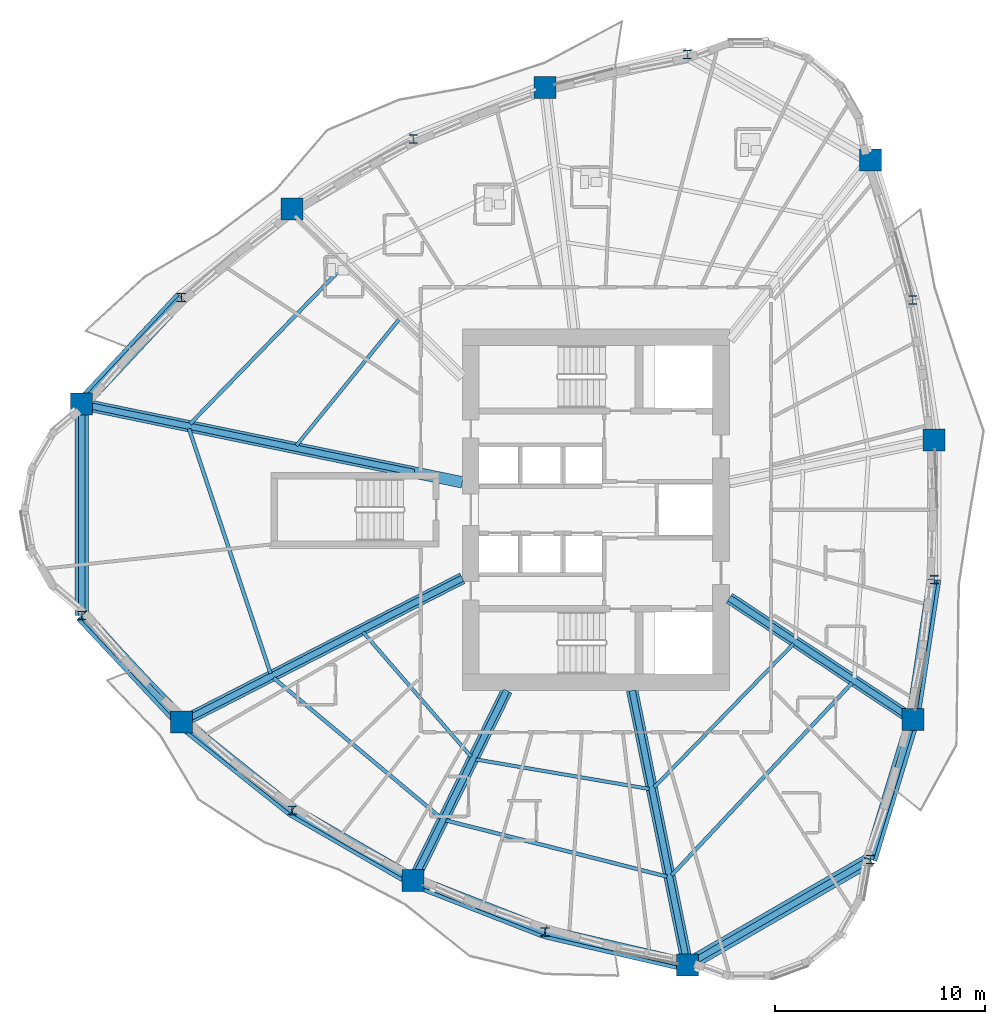
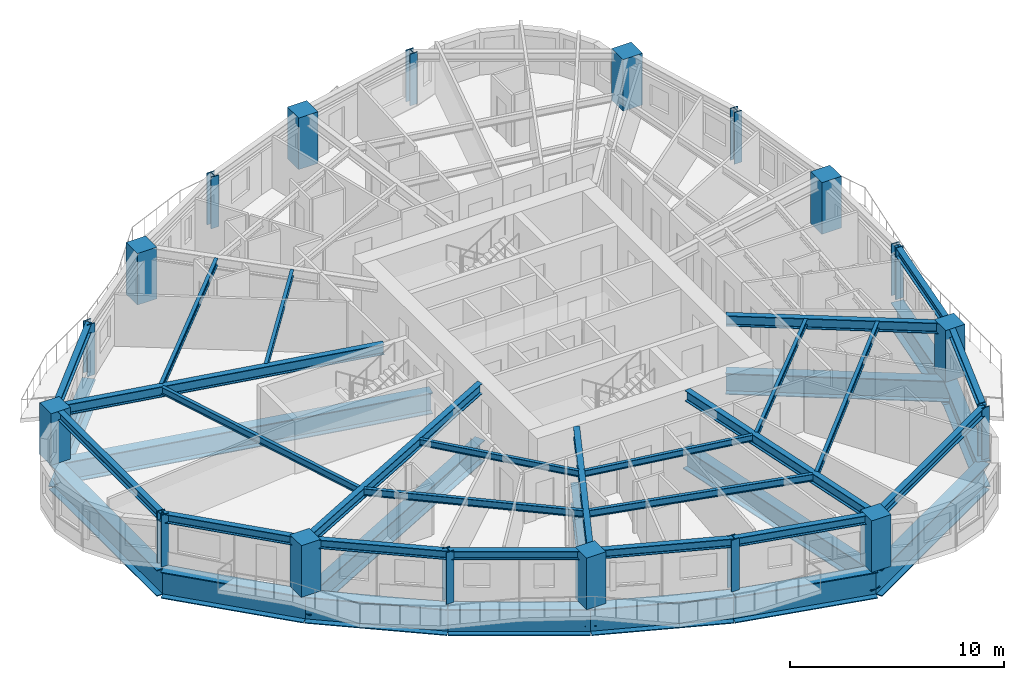
# One storey, part 1 of 14: 39 beams, 18 columns.
"""IFC4 building model written with IfcOpenShell, lengths in metres."""

from ifc_helpers import new_model, si_unit, direction, frame, origin, origin_2d, place, context, subcontext, project, spatial, rectangle, i_section, extrude, source, transform, mapped, material, material_profile, profile_set, type_object, element, save


model = new_model("IFC4")

# Units and contexts
model_context = context("Model", 3, precision=1e-05, world=origin(), true_north=direction((0.0, 1.0)))
body_context = subcontext(model_context, "Body", "Model", "MODEL_VIEW")
ifc_project = project(units=[si_unit("LENGTHUNIT", "METRE"), si_unit("AREAUNIT", "SQUARE_METRE"), si_unit("VOLUMEUNIT", "CUBIC_METRE"), si_unit("PLANEANGLEUNIT", "RADIAN"), si_unit("MASSUNIT", "GRAM", prefix="KILO")], contexts=[model_context])

# Site, building, storey
site_placement = place(None, origin())
site = spatial("IfcSite", under=ifc_project, at=site_placement, CompositionType="ELEMENT")
building_placement = place(site_placement, origin())
building = spatial("IfcBuilding", under=site, at=building_placement, Name="Qafzar Sky-Pleat Residences", CompositionType="ELEMENT")
storey_placement = place(building_placement, frame((0.0, 0.0, 7.800048828125)))
storey = spatial("IfcBuildingStorey", under=building, at=storey_placement, Name="L01", CompositionType="ELEMENT", Elevation=7.800048828125)

# Columns
ifc_material_1 = material(Name="Concrete C60/75", Category="concrete")
ifc_material_profile_1 = material_profile(ifc_material_1, rectangle(XDim=1.050048828125, YDim=1.050048828125, at=origin_2d()), Name="RC 1050x1050")
ifc_profile_set_1 = profile_set([ifc_material_profile_1], Name="Concrete C60/75")
column_type_1 = type_object("IfcColumnType", Name="COL-RC-1050", PredefinedType="COLUMN", material=ifc_profile_set_1)
shared_shape_1 = source(origin(), body_context, "Body", "SweptSolid", [
    extrude(rectangle(XDim=1.050048828125, YDim=1.050048828125, at=origin_2d()), origin(), (0.0, 0.0, 1.0), 2.93994140625),
])
for number, where, z_axis, x_axis, name in (
    (1, (5.89990234375, 31.02294921875, 0.0), (0.0, 0.0, 1.0), (1.0, 0.0, 0.0), "L01 Perimeter Mega Column 1"),
    (2, (10.64892578125, 15.900390625, 0.0), (0.0, 0.0, 1.0), (1.0, 0.0, 0.0), "L01 Perimeter Mega Column 3"),
    (3, (21.66357421875, 8.373779296875, 0.0), (0.0, 0.0, 1.0), (1.0, 0.0, 0.0), "L01 Perimeter Mega Column 5"),
    (4, (34.699951171875, 4.349365234375, 0.0), (0.0, 0.0, 1.0), (1.0, 0.0, 0.0), "L01 Perimeter Mega Column 7"),
    (5, (45.421875, 16.0234375, 0.0), (0.0, 0.0, 1.0), (1.0, 0.0, 0.0), "L01 Perimeter Mega Column 9"),
    (6, (46.432861328125, 29.325439453125, 0.0), (0.0, 0.0, 1.0), (1.0, 0.0, 0.0), "L01 Perimeter Mega Column 11"),
    (7, (43.39990234375, 42.627685546875, 0.0), (0.0, 0.0, 1.0), (1.0, 0.0, 0.0), "L01 Perimeter Mega Column 13"),
    (8, (27.928955078125, 46.076171875, 0.0), (0.0, 0.0, 1.0), (1.0, 0.0, 0.0), "L01 Perimeter Mega Column 15"),
    (9, (15.903564453125, 40.300537109375, 0.0), (0.0, 0.0, 1.0), (1.0, 0.0, 0.0), "L01 Perimeter Mega Column 17"),
):
    element("IfcColumn", number, at=place(storey_placement, frame(where, z_axis=z_axis, x_axis=x_axis)), inside=storey, type_object=column_type_1, Name=name, PredefinedType="COLUMN", context=body_context, shape_type="MappedRepresentation", body=[
        mapped(shared_shape_1, transform((0.0, 0.0, 0.0), x_axis=(1.0, 0.0, 0.0), y_axis=(0.0, 1.0, 0.0), z_axis=(0.0, 0.0, 1.0), scale=1.0)),
    ])
ifc_material_2 = material(Name="Steel S460", Category="steel")
ifc_material_profile_2 = material_profile(ifc_material_2, i_section(OverallWidth=0.408935546875, OverallDepth=0.425048828125, WebThickness=0.030029296875, FlangeThickness=0.048095703125, FilletRadius=0.014892578125, at=origin_2d()), Name="HD 400x421")
ifc_profile_set_2 = profile_set([ifc_material_profile_2], Name="Steel S460")
column_type_2 = type_object("IfcColumnType", Name="COL-STL-HD421", PredefinedType="PILASTER", material=ifc_profile_set_2)
shared_shape_2 = source(origin(), body_context, "Body", "SweptSolid", [
    extrude(i_section(OverallWidth=0.408935546875, OverallDepth=0.425048828125, WebThickness=0.030029296875, FlangeThickness=0.048095703125, FilletRadius=0.014892578125, at=origin_2d()), origin(), (0.0, 0.0, 1.0), 2.93994140625),
])
for number, where, z_axis, x_axis, name in (
    (10, (5.89990234375, 20.97705078125, 0.0), (0.0, 0.0, 1.0), (1.0, 0.0, 0.0), "L01 Perimeter Mega Column 2"),
    (11, (15.903564453125, 11.699462890625, 0.0), (0.0, 0.0, 1.0), (1.0, 0.0, 0.0), "L01 Perimeter Mega Column 4"),
    (12, (27.928955078125, 5.923828125, 0.0), (0.0, 0.0, 1.0), (1.0, 0.0, 0.0), "L01 Perimeter Mega Column 6"),
    (13, (43.39990234375, 9.372314453125, 0.0), (0.0, 0.0, 1.0), (1.0, 0.0, 0.0), "L01 Perimeter Mega Column 8"),
    (14, (46.432861328125, 22.674560546875, 0.0), (0.0, 0.0, 1.0), (1.0, 0.0, 0.0), "L01 Perimeter Mega Column 10"),
    (15, (45.421875, 35.9765625, 0.0), (0.0, 0.0, 1.0), (1.0, 0.0, 0.0), "L01 Perimeter Mega Column 12"),
    (16, (34.699951171875, 47.650634765625, 0.0), (0.0, 0.0, 1.0), (1.0, 0.0, 0.0), "L01 Perimeter Mega Column 14"),
    (17, (21.66357421875, 43.626220703125, 0.0), (0.0, 0.0, 1.0), (1.0, 0.0, 0.0), "L01 Perimeter Mega Column 16"),
    (18, (10.64892578125, 36.099609375, 0.0), (0.0, 0.0, 1.0), (1.0, 0.0, 0.0), "L01 Perimeter Mega Column 18"),
):
    element("IfcColumn", number, at=place(storey_placement, frame(where, z_axis=z_axis, x_axis=x_axis)), inside=storey, type_object=column_type_2, Name=name, PredefinedType="PILASTER", context=body_context, shape_type="MappedRepresentation", body=[
        mapped(shared_shape_2, transform((0.0, 0.0, 0.0), x_axis=(1.0, 0.0, 0.0), y_axis=(0.0, 1.0, 0.0), z_axis=(0.0, 0.0, 1.0), scale=1.0)),
    ])

# Beams
ifc_material_profile_3 = material_profile(ifc_material_2, i_section(OverallWidth=0.64990234375, OverallDepth=1.5, WebThickness=0.031982421875, FlangeThickness=0.050048828125, at=origin_2d()), Name="PG 1500x650x50")
ifc_profile_set_3 = profile_set([ifc_material_profile_3], Name="Steel S460")
beam_type_1 = type_object("IfcBeamType", Name="BM-XFER-PG1500", PredefinedType="BEAM", material=ifc_profile_set_3)
shared_shape_3 = source(origin(), body_context, "Body", "SweptSolid", [
    extrude(i_section(OverallWidth=0.64990234375, OverallDepth=1.5, WebThickness=0.031982421875, FlangeThickness=0.050048828125, at=origin_2d()), origin(), (0.0, 0.0, 1.0), 10.0458984375),
])
for number, where, z_axis, x_axis, name in (
    (19, (5.89990234375, 31.02294921875, -1.010009765625), (0.0, -1.0, 0.0), (1.0, 0.0, 0.0), "L01 Perimeter Transfer Ring Girder 1"),
    (20, (34.699951171875, 4.349365234375, -1.010009765625), (0.866024107753, 0.500002244785, 0.0), (-0.500002244785, 0.866024107753, 0.0), "L01 Perimeter Transfer Ring Girder 7"),
):
    element("IfcBeam", number, at=place(storey_placement, frame(where, z_axis=z_axis, x_axis=x_axis)), inside=storey, type_object=beam_type_1, Name=name, PredefinedType="BEAM", context=body_context, shape_type="MappedRepresentation", body=[
        mapped(shared_shape_3, transform((0.0, 0.0, 0.0), x_axis=(1.0, 0.0, 0.0), y_axis=(0.0, 1.0, 0.0), z_axis=(0.0, 0.0, 1.0), scale=1.0)),
    ])
shared_shape_4 = source(origin(), body_context, "Body", "SweptSolid", [
    extrude(i_section(OverallWidth=0.64990234375, OverallDepth=1.5, WebThickness=0.031982421875, FlangeThickness=0.050048828125, at=origin_2d()), origin(), (0.0, 0.0, 1.0), 6.95166015625),
])
for number, where, z_axis, x_axis, name in (
    (21, (5.89990234375, 20.97705078125, -1.010009765625), (0.683148670375, -0.730279326125, 0.0), (0.730279326125, 0.683148670375, 0.0), "L01 Perimeter Transfer Ring Girder 2"),
    (22, (27.928955078125, 5.923828125, -1.010009765625), (0.974013973113, -0.226487925024, 0.0), (0.226487925024, 0.974013973113, 0.0), "L01 Perimeter Transfer Ring Girder 6"),
    (23, (43.39990234375, 9.372314453125, -1.010009765625), (0.290861139852, 0.956765278072, 0.0), (-0.956765278072, 0.290861139852, 0.0), "L01 Perimeter Transfer Ring Girder 8"),
    (24, (10.64892578125, 36.099609375, -1.010009765625), (-0.683148670375, -0.730279326125, 0.0), (0.730279326125, -0.683148670375, 0.0), "L01 Perimeter Transfer Ring Girder 18"),
):
    element("IfcBeam", number, at=place(storey_placement, frame(where, z_axis=z_axis, x_axis=x_axis)), inside=storey, type_object=beam_type_1, Name=name, PredefinedType="BEAM", context=body_context, shape_type="MappedRepresentation", body=[
        mapped(shared_shape_4, transform((0.0, 0.0, 0.0), x_axis=(1.0, 0.0, 0.0), y_axis=(0.0, 1.0, 0.0), z_axis=(0.0, 0.0, 1.0), scale=1.0)),
    ])
shared_shape_5 = source(origin(), body_context, "Body", "SweptSolid", [
    extrude(i_section(OverallWidth=0.64990234375, OverallDepth=1.5, WebThickness=0.031982421875, FlangeThickness=0.050048828125, at=origin_2d()), origin(), (0.0, 0.0, 1.0), 6.7275390625),
])
for number, where, z_axis, x_axis, name in (
    (25, (10.64892578125, 15.900390625, -1.010009765625), (0.781070576736, -0.624442754908, 0.0), (0.624442754908, 0.781070576736, 0.0), "L01 Perimeter Transfer Ring Girder 3"),
    (26, (45.421875, 16.0234375, -1.010009765625), (0.150276218199, 0.988644050325, 0.0), (-0.988644050325, 0.150276218199, 0.0), "L01 Perimeter Transfer Ring Girder 9"),
):
    element("IfcBeam", number, at=place(storey_placement, frame(where, z_axis=z_axis, x_axis=x_axis)), inside=storey, type_object=beam_type_1, Name=name, PredefinedType="BEAM", context=body_context, shape_type="MappedRepresentation", body=[
        mapped(shared_shape_5, transform((0.0, 0.0, 0.0), x_axis=(1.0, 0.0, 0.0), y_axis=(0.0, 1.0, 0.0), z_axis=(0.0, 0.0, 1.0), scale=1.0)),
    ])
shared_shape_6 = source(origin(), body_context, "Body", "SweptSolid", [
    extrude(i_section(OverallWidth=0.64990234375, OverallDepth=1.5, WebThickness=0.031982421875, FlangeThickness=0.050048828125, at=origin_2d()), origin(), (0.0, 0.0, 1.0), 6.651123046875),
])
beam_1_placement = place(storey_placement, frame((15.903564453125, 11.699462890625, -1.010009765625), z_axis=(0.866016262799, -0.500015832317, 0.0), x_axis=(0.500015832317, 0.866016262799, 0.0)))
element("IfcBeam", 27, at=beam_1_placement, inside=storey, type_object=beam_type_1, Name="L01 Perimeter Transfer Ring Girder 4", PredefinedType="BEAM", context=body_context, shape_type="MappedRepresentation", body=[
    mapped(shared_shape_6, transform((0.0, 0.0, 0.0), x_axis=(1.0, 0.0, 0.0), y_axis=(0.0, 1.0, 0.0), z_axis=(0.0, 0.0, 1.0), scale=1.0)),
])
shared_shape_7 = source(origin(), body_context, "Body", "SweptSolid", [
    extrude(i_section(OverallWidth=0.64990234375, OverallDepth=1.5, WebThickness=0.031982421875, FlangeThickness=0.050048828125, at=origin_2d()), origin(), (0.0, 0.0, 1.0), 6.727294921875),
])
beam_2_placement = place(storey_placement, frame((21.66357421875, 8.373779296875, -1.010009765625), z_axis=(0.931329494162, -0.364177667222, 0.0), x_axis=(0.364177667222, 0.931329494162, 0.0)))
element("IfcBeam", 28, at=beam_2_placement, inside=storey, type_object=beam_type_1, Name="L01 Perimeter Transfer Ring Girder 5", PredefinedType="BEAM", context=body_context, shape_type="MappedRepresentation", body=[
    mapped(shared_shape_7, transform((0.0, 0.0, 0.0), x_axis=(1.0, 0.0, 0.0), y_axis=(0.0, 1.0, 0.0), z_axis=(0.0, 0.0, 1.0), scale=1.0)),
])
ifc_material_profile_4 = material_profile(ifc_material_2, i_section(OverallWidth=0.550048828125, OverallDepth=1.199951171875, WebThickness=0.028076171875, FlangeThickness=0.044921875, at=origin_2d()), Name="PG 1200x550x45")
ifc_profile_set_4 = profile_set([ifc_material_profile_4], Name="Steel S460")
beam_type_2 = type_object("IfcBeamType", Name="BM-XFER-PG1200", PredefinedType="BEAM", material=ifc_profile_set_4)
shared_shape_8 = source(origin(), body_context, "Body", "SweptSolid", [
    extrude(i_section(OverallWidth=0.550048828125, OverallDepth=1.199951171875, WebThickness=0.028076171875, FlangeThickness=0.044921875, at=origin_2d()), origin(), (0.0, 0.0, 1.0), 18.47802734375),
])
beam_3_placement = place(storey_placement, frame((5.89990234375, 31.02294921875, -0.860107421875), z_axis=(0.979542304464, -0.201238350634, 0.0), x_axis=(0.201238350634, 0.979542304464, 0.0)))
element("IfcBeam", 29, at=beam_3_placement, inside=storey, type_object=beam_type_2, Name="L01 Radial Transfer Girder 1", PredefinedType="BEAM", context=body_context, shape_type="MappedRepresentation", body=[
    mapped(shared_shape_8, transform((0.0, 0.0, 0.0), x_axis=(1.0, 0.0, 0.0), y_axis=(0.0, 1.0, 0.0), z_axis=(0.0, 0.0, 1.0), scale=1.0)),
])
shared_shape_9 = source(origin(), body_context, "Body", "SweptSolid", [
    extrude(i_section(OverallWidth=0.550048828125, OverallDepth=1.199951171875, WebThickness=0.028076171875, FlangeThickness=0.044921875, at=origin_2d()), origin(), (0.0, 0.0, 1.0), 15.003173828125),
])
beam_4_placement = place(storey_placement, frame((10.64892578125, 15.900390625, -0.860107421875), z_axis=(0.889884204049, 0.456186478739, 0.0), x_axis=(-0.456186478739, 0.889884204049, 0.0)))
element("IfcBeam", 30, at=beam_4_placement, inside=storey, type_object=beam_type_2, Name="L01 Radial Transfer Girder 2", PredefinedType="BEAM", context=body_context, shape_type="MappedRepresentation", body=[
    mapped(shared_shape_9, transform((0.0, 0.0, 0.0), x_axis=(1.0, 0.0, 0.0), y_axis=(0.0, 1.0, 0.0), z_axis=(0.0, 0.0, 1.0), scale=1.0)),
])
shared_shape_10 = source(origin(), body_context, "Body", "SweptSolid", [
    extrude(i_section(OverallWidth=0.550048828125, OverallDepth=1.199951171875, WebThickness=0.028076171875, FlangeThickness=0.044921875, at=origin_2d()), origin(), (0.0, 0.0, 1.0), 10.062744140625),
])
beam_5_placement = place(storey_placement, frame((21.66357421875, 8.373779296875, -0.860107421875), z_axis=(0.442052932292, 0.896988965959, 0.0), x_axis=(-0.896988965959, 0.442052932292, 0.0)))
element("IfcBeam", 31, at=beam_5_placement, inside=storey, type_object=beam_type_2, Name="L01 Radial Transfer Girder 3", PredefinedType="BEAM", context=body_context, shape_type="MappedRepresentation", body=[
    mapped(shared_shape_10, transform((0.0, 0.0, 0.0), x_axis=(1.0, 0.0, 0.0), y_axis=(0.0, 1.0, 0.0), z_axis=(0.0, 0.0, 1.0), scale=1.0)),
])
shared_shape_11 = source(origin(), body_context, "Body", "SweptSolid", [
    extrude(i_section(OverallWidth=0.550048828125, OverallDepth=1.199951171875, WebThickness=0.028076171875, FlangeThickness=0.044921875, at=origin_2d()), origin(), (0.0, 0.0, 1.0), 13.311279296875),
])
beam_6_placement = place(storey_placement, frame((34.699951171875, 4.349365234375, -0.860107421875), z_axis=(-0.196980192836, 0.980407468163, 0.0), x_axis=(-0.980407468163, -0.196980192836, 0.0)))
element("IfcBeam", 32, at=beam_6_placement, inside=storey, type_object=beam_type_2, Name="L01 Radial Transfer Girder 4", PredefinedType="BEAM", context=body_context, shape_type="MappedRepresentation", body=[
    mapped(shared_shape_11, transform((0.0, 0.0, 0.0), x_axis=(1.0, 0.0, 0.0), y_axis=(0.0, 1.0, 0.0), z_axis=(0.0, 0.0, 1.0), scale=1.0)),
])
shared_shape_12 = source(origin(), body_context, "Body", "SweptSolid", [
    extrude(i_section(OverallWidth=0.550048828125, OverallDepth=1.199951171875, WebThickness=0.028076171875, FlangeThickness=0.044921875, at=origin_2d()), origin(), (0.0, 0.0, 1.0), 10.45947265625),
])
beam_7_placement = place(storey_placement, frame((45.421875, 16.0234375, -0.860107421875), z_axis=(-0.833873592866, 0.551955461175, 0.0), x_axis=(-0.551955461175, -0.833873592866, 0.0)))
element("IfcBeam", 33, at=beam_7_placement, inside=storey, type_object=beam_type_2, Name="L01 Radial Transfer Girder 5", PredefinedType="BEAM", context=body_context, shape_type="MappedRepresentation", body=[
    mapped(shared_shape_12, transform((0.0, 0.0, 0.0), x_axis=(1.0, 0.0, 0.0), y_axis=(0.0, 1.0, 0.0), z_axis=(0.0, 0.0, 1.0), scale=1.0)),
])
ifc_material_3 = material(Name="Steel S355", Category="steel")
ifc_material_profile_5 = material_profile(ifc_material_3, i_section(OverallWidth=0.300048828125, OverallDepth=0.5, WebThickness=0.014404296875, FlangeThickness=0.028076171875, FilletRadius=0.027099609375, at=origin_2d()), Name="HEB 500")
ifc_profile_set_5 = profile_set([ifc_material_profile_5], Name="Steel S355")
beam_type_3 = type_object("IfcBeamType", Name="BM-SPAN-HEB500", PredefinedType="SPANDREL", material=ifc_profile_set_5)
shared_shape_13 = source(origin(), body_context, "Body", "SweptSolid", [
    extrude(i_section(OverallWidth=0.300048828125, OverallDepth=0.5, WebThickness=0.014404296875, FlangeThickness=0.028076171875, FilletRadius=0.027099609375, at=origin_2d()), origin(), (0.0, 0.0, 1.0), 10.0458984375),
])
for number, where, z_axis, x_axis, name in (
    (34, (5.89990234375, 31.02294921875, 2.68798828125), (0.0, -1.0, 0.0), (1.0, 0.0, 0.0), "L01 Perimeter Spandrel Beam 1"),
    (35, (34.699951171875, 4.349365234375, 2.68798828125), (0.866024107753, 0.500002244785, 0.0), (-0.500002244785, 0.866024107753, 0.0), "L01 Perimeter Spandrel Beam 7"),
):
    element("IfcBeam", number, at=place(storey_placement, frame(where, z_axis=z_axis, x_axis=x_axis)), inside=storey, type_object=beam_type_3, Name=name, PredefinedType="SPANDREL", context=body_context, shape_type="MappedRepresentation", body=[
        mapped(shared_shape_13, transform((0.0, 0.0, 0.0), x_axis=(1.0, 0.0, 0.0), y_axis=(0.0, 1.0, 0.0), z_axis=(0.0, 0.0, 1.0), scale=1.0)),
    ])
shared_shape_14 = source(origin(), body_context, "Body", "SweptSolid", [
    extrude(i_section(OverallWidth=0.300048828125, OverallDepth=0.5, WebThickness=0.014404296875, FlangeThickness=0.028076171875, FilletRadius=0.027099609375, at=origin_2d()), origin(), (0.0, 0.0, 1.0), 6.95166015625),
])
for number, where, z_axis, x_axis, name in (
    (36, (5.89990234375, 20.97705078125, 2.68798828125), (0.683148670375, -0.730279326125, 0.0), (0.730279326125, 0.683148670375, 0.0), "L01 Perimeter Spandrel Beam 2"),
    (37, (27.928955078125, 5.923828125, 2.68798828125), (0.974013973113, -0.226487925024, 0.0), (0.226487925024, 0.974013973113, 0.0), "L01 Perimeter Spandrel Beam 6"),
    (38, (43.39990234375, 9.372314453125, 2.68798828125), (0.290861139852, 0.956765278072, 0.0), (-0.956765278072, 0.290861139852, 0.0), "L01 Perimeter Spandrel Beam 8"),
    (39, (10.64892578125, 36.099609375, 2.68798828125), (-0.683148670375, -0.730279326125, 0.0), (0.730279326125, -0.683148670375, 0.0), "L01 Perimeter Spandrel Beam 18"),
):
    element("IfcBeam", number, at=place(storey_placement, frame(where, z_axis=z_axis, x_axis=x_axis)), inside=storey, type_object=beam_type_3, Name=name, PredefinedType="SPANDREL", context=body_context, shape_type="MappedRepresentation", body=[
        mapped(shared_shape_14, transform((0.0, 0.0, 0.0), x_axis=(1.0, 0.0, 0.0), y_axis=(0.0, 1.0, 0.0), z_axis=(0.0, 0.0, 1.0), scale=1.0)),
    ])
shared_shape_15 = source(origin(), body_context, "Body", "SweptSolid", [
    extrude(i_section(OverallWidth=0.300048828125, OverallDepth=0.5, WebThickness=0.014404296875, FlangeThickness=0.028076171875, FilletRadius=0.027099609375, at=origin_2d()), origin(), (0.0, 0.0, 1.0), 6.7275390625),
])
for number, where, z_axis, x_axis, name in (
    (40, (10.64892578125, 15.900390625, 2.68798828125), (0.781070576736, -0.624442754908, 0.0), (0.624442754908, 0.781070576736, 0.0), "L01 Perimeter Spandrel Beam 3"),
    (41, (45.421875, 16.0234375, 2.68798828125), (0.150276218199, 0.988644050325, 0.0), (-0.988644050325, 0.150276218199, 0.0), "L01 Perimeter Spandrel Beam 9"),
):
    element("IfcBeam", number, at=place(storey_placement, frame(where, z_axis=z_axis, x_axis=x_axis)), inside=storey, type_object=beam_type_3, Name=name, PredefinedType="SPANDREL", context=body_context, shape_type="MappedRepresentation", body=[
        mapped(shared_shape_15, transform((0.0, 0.0, 0.0), x_axis=(1.0, 0.0, 0.0), y_axis=(0.0, 1.0, 0.0), z_axis=(0.0, 0.0, 1.0), scale=1.0)),
    ])
shared_shape_16 = source(origin(), body_context, "Body", "SweptSolid", [
    extrude(i_section(OverallWidth=0.300048828125, OverallDepth=0.5, WebThickness=0.014404296875, FlangeThickness=0.028076171875, FilletRadius=0.027099609375, at=origin_2d()), origin(), (0.0, 0.0, 1.0), 6.651123046875),
])
beam_8_placement = place(storey_placement, frame((15.903564453125, 11.699462890625, 2.68798828125), z_axis=(0.866016262799, -0.500015832317, 0.0), x_axis=(0.500015832317, 0.866016262799, 0.0)))
element("IfcBeam", 42, at=beam_8_placement, inside=storey, type_object=beam_type_3, Name="L01 Perimeter Spandrel Beam 4", PredefinedType="SPANDREL", context=body_context, shape_type="MappedRepresentation", body=[
    mapped(shared_shape_16, transform((0.0, 0.0, 0.0), x_axis=(1.0, 0.0, 0.0), y_axis=(0.0, 1.0, 0.0), z_axis=(0.0, 0.0, 1.0), scale=1.0)),
])
shared_shape_17 = source(origin(), body_context, "Body", "SweptSolid", [
    extrude(i_section(OverallWidth=0.300048828125, OverallDepth=0.5, WebThickness=0.014404296875, FlangeThickness=0.028076171875, FilletRadius=0.027099609375, at=origin_2d()), origin(), (0.0, 0.0, 1.0), 6.727294921875),
])
beam_9_placement = place(storey_placement, frame((21.66357421875, 8.373779296875, 2.68798828125), z_axis=(0.931329494162, -0.364177667222, 0.0), x_axis=(0.364177667222, 0.931329494162, 0.0)))
element("IfcBeam", 43, at=beam_9_placement, inside=storey, type_object=beam_type_3, Name="L01 Perimeter Spandrel Beam 5", PredefinedType="SPANDREL", context=body_context, shape_type="MappedRepresentation", body=[
    mapped(shared_shape_17, transform((0.0, 0.0, 0.0), x_axis=(1.0, 0.0, 0.0), y_axis=(0.0, 1.0, 0.0), z_axis=(0.0, 0.0, 1.0), scale=1.0)),
])
ifc_material_profile_6 = material_profile(ifc_material_3, i_section(OverallWidth=0.300048828125, OverallDepth=0.60009765625, WebThickness=0.015380859375, FlangeThickness=0.030029296875, FilletRadius=0.027099609375, at=origin_2d()), Name="HEB 600")
ifc_profile_set_6 = profile_set([ifc_material_profile_6], Name="Steel S355")
beam_type_4 = type_object("IfcBeamType", Name="BM-GIRD-HEB600", PredefinedType="BEAM", material=ifc_profile_set_6)
shared_shape_18 = source(origin(), body_context, "Body", "SweptSolid", [
    extrude(i_section(OverallWidth=0.300048828125, OverallDepth=0.60009765625, WebThickness=0.015380859375, FlangeThickness=0.030029296875, FilletRadius=0.027099609375, at=origin_2d()), origin(), (0.0, 0.0, 1.0), 16.139892578125),
])
beam_10_placement = place(storey_placement, frame((5.89990234375, 31.02294921875, 2.637939453125), z_axis=(0.9795415771, -0.201241891097, 0.0), x_axis=(0.201241891097, 0.9795415771, 0.0)))
element("IfcBeam", 44, at=beam_10_placement, inside=storey, type_object=beam_type_4, Name="L01 Radial Floor Girder 1", PredefinedType="BEAM", context=body_context, shape_type="MappedRepresentation", body=[
    mapped(shared_shape_18, transform((0.0, 0.0, 0.0), x_axis=(1.0, 0.0, 0.0), y_axis=(0.0, 1.0, 0.0), z_axis=(0.0, 0.0, 1.0), scale=1.0)),
])
shared_shape_19 = source(origin(), body_context, "Body", "SweptSolid", [
    extrude(i_section(OverallWidth=0.300048828125, OverallDepth=0.60009765625, WebThickness=0.015380859375, FlangeThickness=0.030029296875, FilletRadius=0.027099609375, at=origin_2d()), origin(), (0.0, 0.0, 1.0), 15.003173828125),
])
beam_11_placement = place(storey_placement, frame((10.64892578125, 15.900390625, 2.637939453125), z_axis=(0.889884204049, 0.456186478739, 0.0), x_axis=(-0.456186478739, 0.889884204049, 0.0)))
element("IfcBeam", 45, at=beam_11_placement, inside=storey, type_object=beam_type_4, Name="L01 Radial Floor Girder 3", PredefinedType="BEAM", context=body_context, shape_type="MappedRepresentation", body=[
    mapped(shared_shape_19, transform((0.0, 0.0, 0.0), x_axis=(1.0, 0.0, 0.0), y_axis=(0.0, 1.0, 0.0), z_axis=(0.0, 0.0, 1.0), scale=1.0)),
])
shared_shape_20 = source(origin(), body_context, "Body", "SweptSolid", [
    extrude(i_section(OverallWidth=0.300048828125, OverallDepth=0.60009765625, WebThickness=0.015380859375, FlangeThickness=0.030029296875, FilletRadius=0.027099609375, at=origin_2d()), origin(), (0.0, 0.0, 1.0), 10.062744140625),
])
beam_12_placement = place(storey_placement, frame((21.66357421875, 8.373779296875, 2.637939453125), z_axis=(0.442052932292, 0.896988965959, 0.0), x_axis=(-0.896988965959, 0.442052932292, 0.0)))
element("IfcBeam", 46, at=beam_12_placement, inside=storey, type_object=beam_type_4, Name="L01 Radial Floor Girder 5", PredefinedType="BEAM", context=body_context, shape_type="MappedRepresentation", body=[
    mapped(shared_shape_20, transform((0.0, 0.0, 0.0), x_axis=(1.0, 0.0, 0.0), y_axis=(0.0, 1.0, 0.0), z_axis=(0.0, 0.0, 1.0), scale=1.0)),
])
shared_shape_21 = source(origin(), body_context, "Body", "SweptSolid", [
    extrude(i_section(OverallWidth=0.300048828125, OverallDepth=0.60009765625, WebThickness=0.015380859375, FlangeThickness=0.030029296875, FilletRadius=0.027099609375, at=origin_2d()), origin(), (0.0, 0.0, 1.0), 13.311279296875),
])
beam_13_placement = place(storey_placement, frame((34.699951171875, 4.349365234375, 2.637939453125), z_axis=(-0.196980192836, 0.980407468163, 0.0), x_axis=(-0.980407468163, -0.196980192836, 0.0)))
element("IfcBeam", 47, at=beam_13_placement, inside=storey, type_object=beam_type_4, Name="L01 Radial Floor Girder 7", PredefinedType="BEAM", context=body_context, shape_type="MappedRepresentation", body=[
    mapped(shared_shape_21, transform((0.0, 0.0, 0.0), x_axis=(1.0, 0.0, 0.0), y_axis=(0.0, 1.0, 0.0), z_axis=(0.0, 0.0, 1.0), scale=1.0)),
])
shared_shape_22 = source(origin(), body_context, "Body", "SweptSolid", [
    extrude(i_section(OverallWidth=0.300048828125, OverallDepth=0.60009765625, WebThickness=0.015380859375, FlangeThickness=0.030029296875, FilletRadius=0.027099609375, at=origin_2d()), origin(), (0.0, 0.0, 1.0), 10.45947265625),
])
beam_14_placement = place(storey_placement, frame((45.421875, 16.0234375, 2.637939453125), z_axis=(-0.833873592866, 0.551955461175, 0.0), x_axis=(-0.551955461175, -0.833873592866, 0.0)))
element("IfcBeam", 48, at=beam_14_placement, inside=storey, type_object=beam_type_4, Name="L01 Radial Floor Girder 9", PredefinedType="BEAM", context=body_context, shape_type="MappedRepresentation", body=[
    mapped(shared_shape_22, transform((0.0, 0.0, 0.0), x_axis=(1.0, 0.0, 0.0), y_axis=(0.0, 1.0, 0.0), z_axis=(0.0, 0.0, 1.0), scale=1.0)),
])
ifc_material_profile_7 = material_profile(ifc_material_3, i_section(OverallWidth=0.179931640625, OverallDepth=0.39990234375, WebThickness=0.008544921875, FlangeThickness=0.013427734375, FilletRadius=0.02099609375, at=origin_2d()), Name="IPE 400")
ifc_profile_set_7 = profile_set([ifc_material_profile_7], Name="Steel S355")
beam_type_5 = type_object("IfcBeamType", Name="BM-JST-IPE400", PredefinedType="JOIST", material=ifc_profile_set_7)
shared_shape_23 = source(origin(), body_context, "Body", "SweptSolid", [
    extrude(i_section(OverallWidth=0.179931640625, OverallDepth=0.39990234375, WebThickness=0.008544921875, FlangeThickness=0.013427734375, FilletRadius=0.02099609375, at=origin_2d()), origin(), (0.0, 0.0, 1.0), 12.265625),
])
beam_15_placement = place(storey_placement, frame((11.001708984375, 29.85546875, 2.738037109375), z_axis=(0.31608444956, -0.948731058175, 0.0), x_axis=(0.948731058175, 0.31608444956, 0.0)))
element("IfcBeam", 49, at=beam_15_placement, inside=storey, type_object=beam_type_5, Name="L01 Outer Secondary Floor Joist 1", PredefinedType="JOIST", context=body_context, shape_type="MappedRepresentation", body=[
    mapped(shared_shape_23, transform((0.0, 0.0, 0.0), x_axis=(1.0, 0.0, 0.0), y_axis=(0.0, 1.0, 0.0), z_axis=(0.0, 0.0, 1.0), scale=1.0)),
])
shared_shape_24 = source(origin(), body_context, "Body", "SweptSolid", [
    extrude(i_section(OverallWidth=0.179931640625, OverallDepth=0.39990234375, WebThickness=0.008544921875, FlangeThickness=0.013427734375, FilletRadius=0.02099609375, at=origin_2d()), origin(), (0.0, 0.0, 1.0), 10.374267578125),
])
beam_16_placement = place(storey_placement, frame((15.02490234375, 18.00390625, 2.738037109375), z_axis=(0.767132246314, -0.641488984056, 0.0), x_axis=(0.641488984056, 0.767132246314, 0.0)))
element("IfcBeam", 50, at=beam_16_placement, inside=storey, type_object=beam_type_5, Name="L01 Outer Secondary Floor Joist 2", PredefinedType="JOIST", context=body_context, shape_type="MappedRepresentation", body=[
    mapped(shared_shape_24, transform((0.0, 0.0, 0.0), x_axis=(1.0, 0.0, 0.0), y_axis=(0.0, 1.0, 0.0), z_axis=(0.0, 0.0, 1.0), scale=1.0)),
])
shared_shape_25 = source(origin(), body_context, "Body", "SweptSolid", [
    extrude(i_section(OverallWidth=0.179931640625, OverallDepth=0.39990234375, WebThickness=0.008544921875, FlangeThickness=0.013427734375, FilletRadius=0.02099609375, at=origin_2d()), origin(), (0.0, 0.0, 1.0), 10.845703125),
])
beam_17_placement = place(storey_placement, frame((23.218017578125, 11.22900390625, 2.738037109375), z_axis=(0.969220624177, -0.246193788853, 0.0), x_axis=(0.246193788853, 0.969220624177, 0.0)))
element("IfcBeam", 51, at=beam_17_placement, inside=storey, type_object=beam_type_5, Name="L01 Outer Secondary Floor Joist 3", PredefinedType="JOIST", context=body_context, shape_type="MappedRepresentation", body=[
    mapped(shared_shape_25, transform((0.0, 0.0, 0.0), x_axis=(1.0, 0.0, 0.0), y_axis=(0.0, 1.0, 0.0), z_axis=(0.0, 0.0, 1.0), scale=1.0)),
])
shared_shape_26 = source(origin(), body_context, "Body", "SweptSolid", [
    extrude(i_section(OverallWidth=0.179931640625, OverallDepth=0.39990234375, WebThickness=0.008544921875, FlangeThickness=0.013427734375, FilletRadius=0.02099609375, at=origin_2d()), origin(), (0.0, 0.0, 1.0), 12.5458984375),
])
beam_18_placement = place(storey_placement, frame((33.953369140625, 8.6240234375, 2.738037109375), z_axis=(0.684303538681, 0.729197275742, 0.0), x_axis=(-0.729197275742, 0.684303538681, 0.0)))
element("IfcBeam", 52, at=beam_18_placement, inside=storey, type_object=beam_type_5, Name="L01 Outer Secondary Floor Joist 4", PredefinedType="JOIST", context=body_context, shape_type="MappedRepresentation", body=[
    mapped(shared_shape_26, transform((0.0, 0.0, 0.0), x_axis=(1.0, 0.0, 0.0), y_axis=(0.0, 1.0, 0.0), z_axis=(0.0, 0.0, 1.0), scale=1.0)),
])
shared_shape_27 = source(origin(), body_context, "Body", "SweptSolid", [
    extrude(i_section(OverallWidth=0.179931640625, OverallDepth=0.39990234375, WebThickness=0.008544921875, FlangeThickness=0.013427734375, FilletRadius=0.02099609375, at=origin_2d()), origin(), (0.0, 0.0, 1.0), 10.541259765625),
])
beam_19_placement = place(storey_placement, frame((18.400390625, 37.63916015625, 2.738037109375), z_axis=(-0.696995374234, -0.717075622439, 0.0), x_axis=(0.717075622439, -0.696995374234, 0.0)))
element("IfcBeam", 53, at=beam_19_placement, inside=storey, type_object=beam_type_5, Name="L01 Outer Secondary Floor Joist 9", PredefinedType="JOIST", context=body_context, shape_type="MappedRepresentation", body=[
    mapped(shared_shape_27, transform((0.0, 0.0, 0.0), x_axis=(1.0, 0.0, 0.0), y_axis=(0.0, 1.0, 0.0), z_axis=(0.0, 0.0, 1.0), scale=1.0)),
])
ifc_material_profile_8 = material_profile(ifc_material_3, i_section(OverallWidth=0.169921875, OverallDepth=0.360107421875, WebThickness=0.008056640625, FlangeThickness=0.0126953125, FilletRadius=0.01806640625, at=origin_2d()), Name="IPE 360")
ifc_profile_set_8 = profile_set([ifc_material_profile_8], Name="Steel S355")
beam_type_6 = type_object("IfcBeamType", Name="BM-JST-IPE360", PredefinedType="JOIST", material=ifc_profile_set_8)
shared_shape_28 = source(origin(), body_context, "Body", "SweptSolid", [
    extrude(i_section(OverallWidth=0.169921875, OverallDepth=0.360107421875, WebThickness=0.008056640625, FlangeThickness=0.0126953125, FilletRadius=0.01806640625, at=origin_2d()), origin(), (0.0, 0.0, 1.0), 7.8447265625),
])
beam_20_placement = place(storey_placement, frame((19.281982421875, 20.1787109375, 2.758056640625), z_axis=(0.655239727484, -0.755421008132, 0.0), x_axis=(0.755421008132, 0.655239727484, 0.0)))
element("IfcBeam", 54, at=beam_20_placement, inside=storey, type_object=beam_type_6, Name="L01 Inner Secondary Floor Joist 2", PredefinedType="JOIST", context=body_context, shape_type="MappedRepresentation", body=[
    mapped(shared_shape_28, transform((0.0, 0.0, 0.0), x_axis=(1.0, 0.0, 0.0), y_axis=(0.0, 1.0, 0.0), z_axis=(0.0, 0.0, 1.0), scale=1.0)),
])
shared_shape_29 = source(origin(), body_context, "Body", "SweptSolid", [
    extrude(i_section(OverallWidth=0.169921875, OverallDepth=0.360107421875, WebThickness=0.008056640625, FlangeThickness=0.0126953125, FilletRadius=0.01806640625, at=origin_2d()), origin(), (0.0, 0.0, 1.0), 8.364013671875),
])
beam_21_placement = place(storey_placement, frame((24.6435546875, 14.1279296875, 2.758056640625), z_axis=(0.985819217753, -0.167810815825, 0.0), x_axis=(0.167810815825, 0.985819217753, 0.0)))
element("IfcBeam", 55, at=beam_21_placement, inside=storey, type_object=beam_type_6, Name="L01 Inner Secondary Floor Joist 3", PredefinedType="JOIST", context=body_context, shape_type="MappedRepresentation", body=[
    mapped(shared_shape_29, transform((0.0, 0.0, 0.0), x_axis=(1.0, 0.0, 0.0), y_axis=(0.0, 1.0, 0.0), z_axis=(0.0, 0.0, 1.0), scale=1.0)),
])
shared_shape_30 = source(origin(), body_context, "Body", "SweptSolid", [
    extrude(i_section(OverallWidth=0.169921875, OverallDepth=0.360107421875, WebThickness=0.008056640625, FlangeThickness=0.0126953125, FilletRadius=0.01806640625, at=origin_2d()), origin(), (0.0, 0.0, 1.0), 9.513671875),
])
beam_22_placement = place(storey_placement, frame((33.115966796875, 12.798583984375, 2.758056640625), z_axis=(0.696884511326, 0.717183364193, 0.0), x_axis=(-0.717183364193, 0.696884511326, 0.0)))
element("IfcBeam", 56, at=beam_22_placement, inside=storey, type_object=beam_type_6, Name="L01 Inner Secondary Floor Joist 4", PredefinedType="JOIST", context=body_context, shape_type="MappedRepresentation", body=[
    mapped(shared_shape_30, transform((0.0, 0.0, 0.0), x_axis=(1.0, 0.0, 0.0), y_axis=(0.0, 1.0, 0.0), z_axis=(0.0, 0.0, 1.0), scale=1.0)),
])
shared_shape_31 = source(origin(), body_context, "Body", "SweptSolid", [
    extrude(i_section(OverallWidth=0.169921875, OverallDepth=0.360107421875, WebThickness=0.008056640625, FlangeThickness=0.0126953125, FilletRadius=0.01806640625, at=origin_2d()), origin(), (0.0, 0.0, 1.0), 7.7578125),
])
beam_23_placement = place(storey_placement, frame((21.0, 35.06640625, 2.758056640625), z_axis=(-0.63116706176, -0.775646917192, 0.0), x_axis=(0.775646917192, -0.63116706176, 0.0)))
element("IfcBeam", 57, at=beam_23_placement, inside=storey, type_object=beam_type_6, Name="L01 Inner Secondary Floor Joist 9", PredefinedType="JOIST", context=body_context, shape_type="MappedRepresentation", body=[
    mapped(shared_shape_31, transform((0.0, 0.0, 0.0), x_axis=(1.0, 0.0, 0.0), y_axis=(0.0, 1.0, 0.0), z_axis=(0.0, 0.0, 1.0), scale=1.0)),
])

save(model, "model.ifc")
